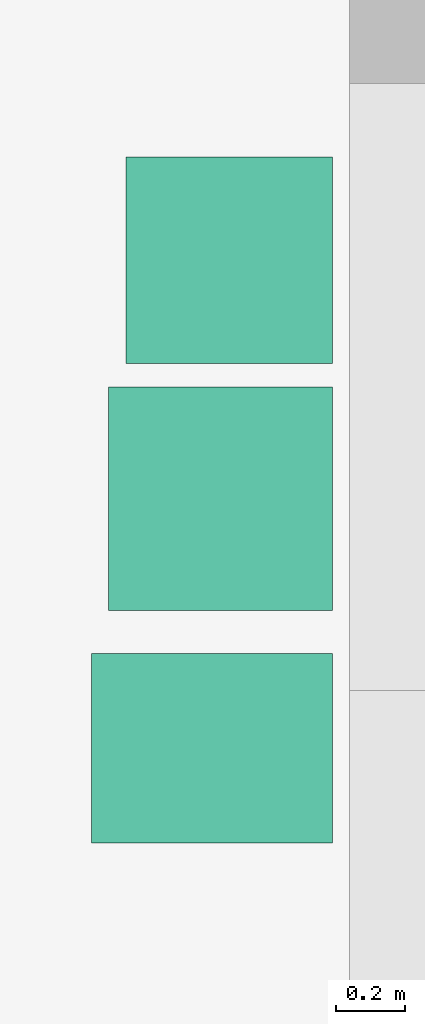
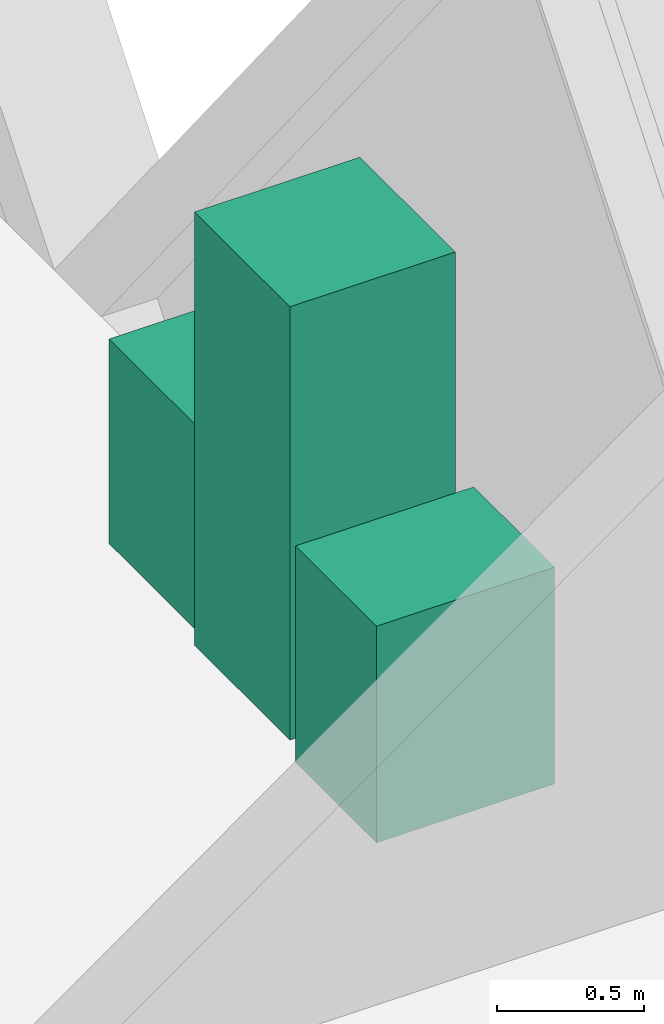
# One storey, part 12 of 12: 2 electric appliances, 1 sanitary terminal.
"""IFC4 building model written with IfcOpenShell, lengths in metres."""

from ifc_helpers import new_model, si_unit, direction, frame, origin, origin_2d, place, context, subcontext, project, spatial, rectangle, extrude, material, type_object, element, save


model = new_model("IFC4")

# Units and contexts
model_context = context("Model", 3, precision=1e-05, world=origin(), true_north=direction((0.0, 1.0)))
body_context = subcontext(model_context, "Body", "Model", "MODEL_VIEW")
ifc_project = project(units=[si_unit("LENGTHUNIT", "METRE"), si_unit("AREAUNIT", "SQUARE_METRE"), si_unit("VOLUMEUNIT", "CUBIC_METRE"), si_unit("PLANEANGLEUNIT", "RADIAN"), si_unit("MASSUNIT", "GRAM", prefix="KILO")], contexts=[model_context])

# Site, building, storey
site_placement = place(None, origin())
site = spatial("IfcSite", under=ifc_project, at=site_placement, CompositionType="ELEMENT")
building_placement = place(site_placement, origin())
building = spatial("IfcBuilding", under=site, at=building_placement, Name="Tessera Gate Towers", CompositionType="ELEMENT")
storey_placement = place(building_placement, frame((0.0, 0.0, 182.0)))
storey = spatial("IfcBuildingStorey", under=building, at=storey_placement, Name="L45", CompositionType="ELEMENT", Elevation=182.0)

# Electric appliances
ifc_material_1 = material(Name="Enamelled steel", Category="steel")
electric_appliance_type_1 = type_object("IfcElectricApplianceType", Name="DISHWASHER 600x600", PredefinedType="DISHWASHER", material=ifc_material_1)
electric_appliance_1_placement = place(storey_placement, frame((60.14990234375, 19.550048828125, 0.0), z_axis=(0.0, 0.0, 1.0), x_axis=(1.0, 0.0, 0.0)))
element("IfcElectricAppliance", 1, at=electric_appliance_1_placement, inside=storey, type_object=electric_appliance_type_1, Name="Dishwasher", PredefinedType="DISHWASHER", context=body_context, shape_type="SweptSolid", body=[
    extrude(rectangle(XDim=0.60009765625, YDim=0.60009765625, at=origin_2d()), origin(), (0.0, 0.0, 1.0), 0.85009765625),
])
ifc_material_2 = material(Name="Enamelled steel", Category="steel")
electric_appliance_type_2 = type_object("IfcElectricApplianceType", Name="REFRIGERATOR 650x650", PredefinedType="FRIDGE_FREEZER", material=ifc_material_2)
electric_appliance_2_placement = place(storey_placement, frame((60.125, 18.85791015625, 0.0), z_axis=(0.0, 0.0, 1.0), x_axis=(1.0, 0.0, 0.0)))
element("IfcElectricAppliance", 2, at=electric_appliance_2_placement, inside=storey, type_object=electric_appliance_type_2, Name="Refrigerator", PredefinedType="FRIDGE_FREEZER", context=body_context, shape_type="SweptSolid", body=[
    extrude(rectangle(XDim=0.64990234375, YDim=0.64990234375, at=origin_2d()), origin(), (0.0, 0.0, 1.0), 1.800048828125),
])

# Sanitary terminal
ifc_material_3 = material(Name="Vitreous china")
sanitary_terminal_type = type_object("IfcSanitaryTerminalType", Name="SINK 700x550", PredefinedType="SINK", material=ifc_material_3)
sanitary_terminal_placement = place(storey_placement, frame((60.10009765625, 18.133056640625, 0.0), z_axis=(0.0, 0.0, 1.0), x_axis=(1.0, 0.0, 0.0)))
element("IfcSanitaryTerminal", 3, at=sanitary_terminal_placement, inside=storey, type_object=sanitary_terminal_type, Name="Sink", PredefinedType="SINK", context=body_context, shape_type="SweptSolid", body=[
    extrude(rectangle(XDim=0.699951171875, YDim=0.550048828125, at=origin_2d()), origin(), (0.0, 0.0, 1.0), 0.89990234375),
])

save(model, "model.ifc")
